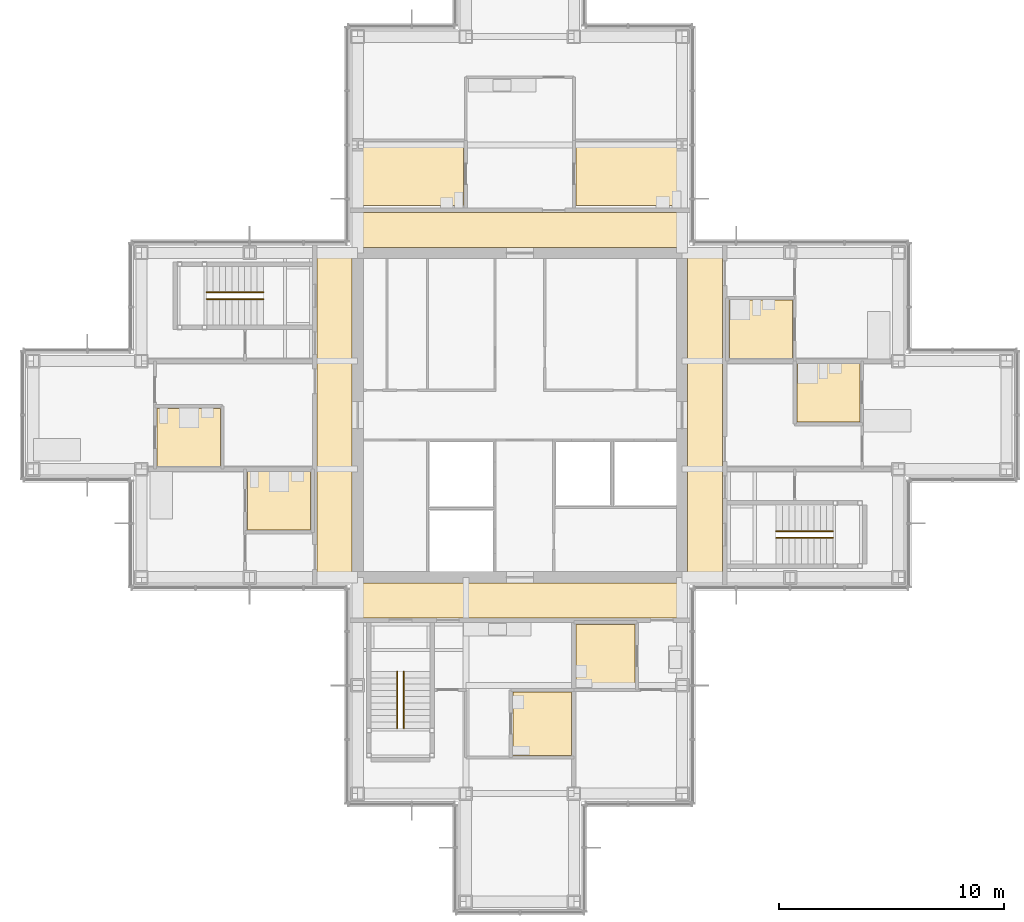
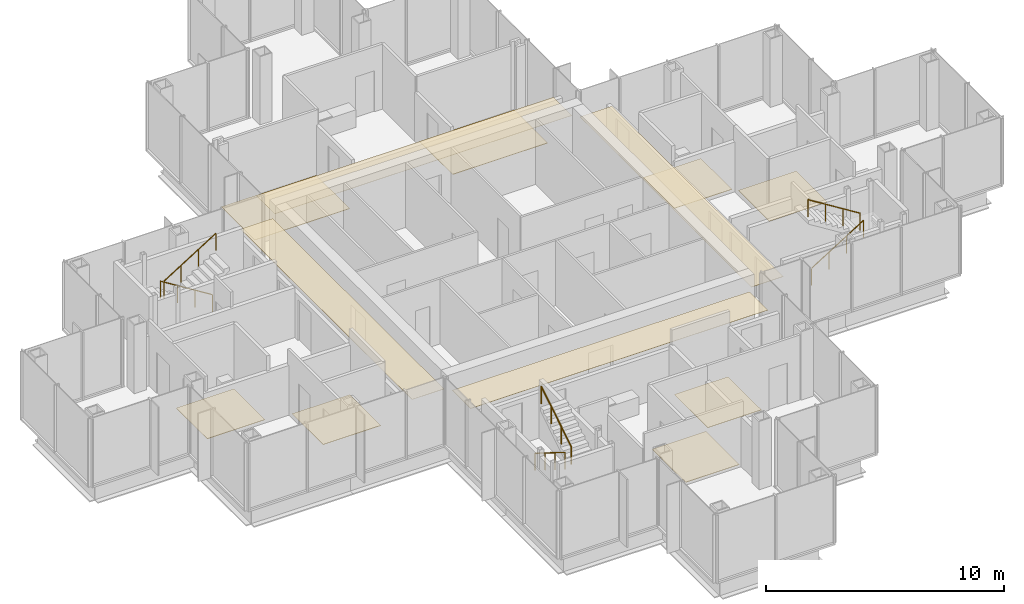
# One storey, part 15 of 17: 12 coverings, 6 railings.
"""IFC4 building model written with IfcOpenShell, lengths in metres."""

from ifc_helpers import new_model, si_unit, direction, frame, origin, origin_2d, place, context, subcontext, project, spatial, polyline, circle, outline, extrude, material, layer, layer_set, type_object, element, save


model = new_model("IFC4")

# Units and contexts
model_context = context("Model", 3, precision=1e-05, world=origin(), true_north=direction((0.0, 1.0)))
body_context = subcontext(model_context, "Body", "Model", "MODEL_VIEW")
ifc_project = project(units=[si_unit("LENGTHUNIT", "METRE"), si_unit("AREAUNIT", "SQUARE_METRE"), si_unit("VOLUMEUNIT", "CUBIC_METRE"), si_unit("PLANEANGLEUNIT", "RADIAN"), si_unit("MASSUNIT", "GRAM", prefix="KILO")], contexts=[model_context])

# Site, building, storey
site_placement = place(None, origin())
site = spatial("IfcSite", under=ifc_project, at=site_placement, CompositionType="ELEMENT")
building_placement = place(site_placement, origin())
building = spatial("IfcBuilding", under=site, at=building_placement, Name="Kvirike Care Tower", CompositionType="ELEMENT")
storey_placement = place(building_placement, frame((0.0, 0.0, 162.0)))
storey = spatial("IfcBuildingStorey", under=building, at=storey_placement, Name="L44", CompositionType="ELEMENT", Elevation=162.0)

# Coverings
ifc_material_1 = material(Name="Perforated metal ceiling tile", Category="aluminium")
ifc_layer_1 = layer(ifc_material_1, 0.014892578125)
ifc_layer_set_1 = layer_set([ifc_layer_1], Name="CORRIDOR CEILING 15")
covering_type_1 = type_object("IfcCoveringType", Name="CORRIDOR CEILING 15", PredefinedType="CEILING", material=ifc_layer_set_1)
covering_1_placement = place(storey_placement, frame((0.0, 0.0, 2.5)))
element("IfcCovering", 1, at=covering_1_placement, inside=storey, type_object=covering_type_1, Name="Corridor ceiling L44", PredefinedType="CEILING", context=body_context, shape_type="SweptSolid", body=[
    extrude(outline(polyline([(12.60009765625, 43.199951171875), (14.14990234375, 43.199951171875), (14.14990234375, 28.800048828125), (12.60009765625, 28.800048828125), (12.60009765625, 43.199951171875)])), origin(), (0.0, 0.0, 1.0), 0.014892578125),
])
covering_2_placement = place(storey_placement, frame((0.0, 0.0, 2.5)))
element("IfcCovering", 2, at=covering_2_placement, inside=storey, type_object=covering_type_1, Name="Corridor ceiling L44", PredefinedType="CEILING", context=body_context, shape_type="SweptSolid", body=[
    extrude(outline(polyline([(14.39990234375, 27.0), (14.39990234375, 28.550048828125), (28.800048828125, 28.550048828125), (28.800048828125, 27.0), (14.39990234375, 27.0)])), origin(), (0.0, 0.0, 1.0), 0.014892578125),
])
covering_3_placement = place(storey_placement, frame((0.0, 0.0, 2.5)))
element("IfcCovering", 3, at=covering_3_placement, inside=storey, type_object=covering_type_1, Name="Corridor ceiling L44", PredefinedType="CEILING", context=body_context, shape_type="SweptSolid", body=[
    extrude(outline(polyline([(28.800048828125, 45.0), (28.800048828125, 43.449951171875), (14.39990234375, 43.449951171875), (14.39990234375, 45.0), (28.800048828125, 45.0)])), origin(), (0.0, 0.0, 1.0), 0.014892578125),
])
covering_4_placement = place(storey_placement, frame((0.0, 0.0, 2.5)))
element("IfcCovering", 4, at=covering_4_placement, inside=storey, type_object=covering_type_1, Name="Corridor ceiling L44", PredefinedType="CEILING", context=body_context, shape_type="SweptSolid", body=[
    extrude(outline(polyline([(30.60009765625, 28.800048828125), (29.050048828125, 28.800048828125), (29.050048828125, 43.199951171875), (30.60009765625, 43.199951171875), (30.60009765625, 28.800048828125)])), origin(), (0.0, 0.0, 1.0), 0.014892578125),
])

# Railings
ifc_material_2 = material(Name="Stainless steel handrail", Category="steel")
railing_type = type_object("IfcRailingType", Name="STAIR HANDRAIL 900", PredefinedType="HANDRAIL", material=ifc_material_2)
railing_1_placement = place(storey_placement, frame((10.219970703125, 41.449951171875, 0.175048828125)))
element("IfcRailing", 5, at=railing_1_placement, inside=storey, type_object=railing_type, Name="Stair 1 handrail L44 flight 1", PredefinedType="HANDRAIL", context=body_context, shape_type="SweptSolid", body=[
    extrude(circle(Radius=0.02490234375, at=origin_2d()), frame((0.0, 0.0, 0.875), z_axis=(-0.848007534815, 0.0, 0.529984170421), x_axis=(0.0, -1.0, 0.0)), (0.0, 0.0, 1.0), 2.9716796875),
    extrude(circle(Radius=0.02001953125, at=origin_2d()), origin(), (0.0, 0.0, 1.0), 0.849853515625),
    extrude(circle(Radius=0.02001953125, at=origin_2d()), frame((-0.840087890625, 0.0, 0.52490234375)), (0.0, 0.0, 1.0), 0.849853515625),
    extrude(circle(Radius=0.02001953125, at=origin_2d()), frame((-1.679931640625, 0.0, 1.050048828125)), (0.0, 0.0, 1.0), 0.849853515625),
    extrude(circle(Radius=0.02001953125, at=origin_2d()), frame((-2.52001953125, 0.0, 1.574951171875)), (0.0, 0.0, 1.0), 0.849853515625),
])
for number, where, name in (
    (6, (7.699951171875, 41.14990234375, 1.925048828125), "Stair 1 handrail L44 flight 2"),
    (7, (32.97998046875, 30.550048828125, 0.175048828125), "Stair 2 handrail L44 flight 1"),
):
    element("IfcRailing", number, at=place(storey_placement, frame(where)), inside=storey, type_object=railing_type, Name=name, PredefinedType="HANDRAIL", context=body_context, shape_type="SweptSolid", body=[
        extrude(circle(Radius=0.02490234375, at=origin_2d()), frame((0.0, 0.0, 0.875), z_axis=(0.848007534815, 0.0, 0.529984170421), x_axis=(0.0, 1.0, 0.0)), (0.0, 0.0, 1.0), 2.9716796875),
        extrude(circle(Radius=0.02001953125, at=origin_2d()), origin(), (0.0, 0.0, 1.0), 0.849853515625),
        extrude(circle(Radius=0.02001953125, at=origin_2d()), frame((0.840087890625, 0.0, 0.52490234375)), (0.0, 0.0, 1.0), 0.849853515625),
        extrude(circle(Radius=0.02001953125, at=origin_2d()), frame((1.679931640625, 0.0, 1.050048828125)), (0.0, 0.0, 1.0), 0.849853515625),
        extrude(circle(Radius=0.02001953125, at=origin_2d()), frame((2.52001953125, 0.0, 1.574951171875)), (0.0, 0.0, 1.0), 0.849853515625),
    ])
railing_2_placement = place(storey_placement, frame((35.5, 30.85009765625, 1.925048828125)))
element("IfcRailing", 8, at=railing_2_placement, inside=storey, type_object=railing_type, Name="Stair 2 handrail L44 flight 2", PredefinedType="HANDRAIL", context=body_context, shape_type="SweptSolid", body=[
    extrude(circle(Radius=0.02490234375, at=origin_2d()), frame((0.0, 0.0, 0.875), z_axis=(-0.848007534815, 0.0, 0.529984170421), x_axis=(0.0, -1.0, 0.0)), (0.0, 0.0, 1.0), 2.9716796875),
    extrude(circle(Radius=0.02001953125, at=origin_2d()), origin(), (0.0, 0.0, 1.0), 0.849853515625),
    extrude(circle(Radius=0.02001953125, at=origin_2d()), frame((-0.840087890625, 0.0, 0.52490234375)), (0.0, 0.0, 1.0), 0.849853515625),
    extrude(circle(Radius=0.02001953125, at=origin_2d()), frame((-1.679931640625, 0.0, 1.050048828125)), (0.0, 0.0, 1.0), 0.849853515625),
    extrude(circle(Radius=0.02001953125, at=origin_2d()), frame((-2.52001953125, 0.0, 1.574951171875)), (0.0, 0.0, 1.0), 0.849853515625),
])
railing_3_placement = place(storey_placement, frame((16.14990234375, 24.6201171875, 0.175048828125)))
element("IfcRailing", 9, at=railing_3_placement, inside=storey, type_object=railing_type, Name="Stair 5 handrail L44 flight 1", PredefinedType="HANDRAIL", context=body_context, shape_type="SweptSolid", body=[
    extrude(circle(Radius=0.02490234375, at=origin_2d()), frame((0.0, 0.0, 0.875), z_axis=(0.0, -0.848007534815, 0.529984170421), x_axis=(1.0, 0.0, 0.0)), (0.0, 0.0, 1.0), 2.9716796875),
    extrude(circle(Radius=0.02001953125, at=origin_2d()), origin(), (0.0, 0.0, 1.0), 0.849853515625),
    extrude(circle(Radius=0.02001953125, at=origin_2d()), frame((0.0, -0.840087890625, 0.52490234375)), (0.0, 0.0, 1.0), 0.849853515625),
    extrude(circle(Radius=0.02001953125, at=origin_2d()), frame((0.0, -1.679931640625, 1.050048828125)), (0.0, 0.0, 1.0), 0.849853515625),
    extrude(circle(Radius=0.02001953125, at=origin_2d()), frame((0.0, -2.52001953125, 1.574951171875)), (0.0, 0.0, 1.0), 0.849853515625),
])
railing_4_placement = place(storey_placement, frame((16.449951171875, 22.10009765625, 1.925048828125)))
element("IfcRailing", 10, at=railing_4_placement, inside=storey, type_object=railing_type, Name="Stair 5 handrail L44 flight 2", PredefinedType="HANDRAIL", context=body_context, shape_type="SweptSolid", body=[
    extrude(circle(Radius=0.02490234375, at=origin_2d()), frame((0.0, 0.0, 0.875), z_axis=(0.0, 0.848007534815, 0.529984170421), x_axis=(-1.0, 0.0, 0.0)), (0.0, 0.0, 1.0), 2.9716796875),
    extrude(circle(Radius=0.02001953125, at=origin_2d()), origin(), (0.0, 0.0, 1.0), 0.849853515625),
    extrude(circle(Radius=0.02001953125, at=origin_2d()), frame((0.0, 0.840087890625, 0.52490234375)), (0.0, 0.0, 1.0), 0.849853515625),
    extrude(circle(Radius=0.02001953125, at=origin_2d()), frame((0.0, 1.679931640625, 1.050048828125)), (0.0, 0.0, 1.0), 0.849853515625),
    extrude(circle(Radius=0.02001953125, at=origin_2d()), frame((0.0, 2.52001953125, 1.574951171875)), (0.0, 0.0, 1.0), 0.849853515625),
])

# Coverings
ifc_material_3 = material(Name="Slip-resistant vinyl safety flooring on screed")
ifc_layer_2 = layer(ifc_material_3, 0.02001953125)
ifc_layer_set_2 = layer_set([ifc_layer_2], Name="WET ROOM FLOOR 20")
covering_type_2 = type_object("IfcCoveringType", Name="WET ROOM FLOOR 20", PredefinedType="FLOORING", material=ifc_layer_set_2)
covering_5_placement = place(storey_placement, origin())
element("IfcCovering", 11, at=covering_5_placement, inside=storey, type_object=covering_type_2, Name="En-suite floor L44-006", PredefinedType="FLOORING", context=body_context, shape_type="SweptSolid", body=[
    extrude(outline(polyline([(5.5, 36.300048828125), (8.300048828125, 36.300048828125), (8.300048828125, 33.699951171875), (5.5, 33.699951171875), (5.5, 36.300048828125)])), origin(), (0.0, 0.0, 1.0), 0.02001953125),
])
covering_6_placement = place(storey_placement, origin())
element("IfcCovering", 12, at=covering_6_placement, inside=storey, type_object=covering_type_2, Name="En-suite floor L44-009", PredefinedType="FLOORING", context=body_context, shape_type="SweptSolid", body=[
    extrude(outline(polyline([(9.5, 33.5), (12.300048828125, 33.5), (12.300048828125, 30.89990234375), (9.5, 30.89990234375), (9.5, 33.5)])), origin(), (0.0, 0.0, 1.0), 0.02001953125),
])
covering_7_placement = place(storey_placement, origin())
element("IfcCovering", 13, at=covering_7_placement, inside=storey, type_object=covering_type_2, Name="Accessible WC floor L44-014", PredefinedType="FLOORING", context=body_context, shape_type="SweptSolid", body=[
    extrude(outline(polyline([(21.300048828125, 20.89990234375), (21.300048828125, 23.699951171875), (23.89990234375, 23.699951171875), (23.89990234375, 20.89990234375), (21.300048828125, 20.89990234375)])), origin(), (0.0, 0.0, 1.0), 0.02001953125),
])
covering_8_placement = place(storey_placement, origin())
element("IfcCovering", 14, at=covering_8_placement, inside=storey, type_object=covering_type_2, Name="Staff WC floor L44-017", PredefinedType="FLOORING", context=body_context, shape_type="SweptSolid", body=[
    extrude(outline(polyline([(24.10009765625, 23.89990234375), (24.10009765625, 26.699951171875), (26.699951171875, 26.699951171875), (26.699951171875, 23.89990234375), (24.10009765625, 23.89990234375)])), origin(), (0.0, 0.0, 1.0), 0.02001953125),
])
covering_9_placement = place(storey_placement, origin())
element("IfcCovering", 15, at=covering_9_placement, inside=storey, type_object=covering_type_2, Name="Accessible WC floor L44-021", PredefinedType="FLOORING", context=body_context, shape_type="SweptSolid", body=[
    extrude(outline(polyline([(28.699951171875, 48.10009765625), (28.699951171875, 45.300048828125), (24.10009765625, 45.300048828125), (24.10009765625, 48.10009765625), (28.699951171875, 48.10009765625)])), origin(), (0.0, 0.0, 1.0), 0.02001953125),
])
covering_10_placement = place(storey_placement, origin())
element("IfcCovering", 16, at=covering_10_placement, inside=storey, type_object=covering_type_2, Name="Staff WC floor L44-022", PredefinedType="FLOORING", context=body_context, shape_type="SweptSolid", body=[
    extrude(outline(polyline([(19.10009765625, 48.10009765625), (19.10009765625, 45.300048828125), (14.5, 45.300048828125), (14.5, 48.10009765625), (19.10009765625, 48.10009765625)])), origin(), (0.0, 0.0, 1.0), 0.02001953125),
])
covering_11_placement = place(storey_placement, origin())
element("IfcCovering", 17, at=covering_11_placement, inside=storey, type_object=covering_type_2, Name="En-suite floor L44-029", PredefinedType="FLOORING", context=body_context, shape_type="SweptSolid", body=[
    extrude(outline(polyline([(36.699951171875, 35.699951171875), (33.89990234375, 35.699951171875), (33.89990234375, 38.300048828125), (36.699951171875, 38.300048828125), (36.699951171875, 35.699951171875)])), origin(), (0.0, 0.0, 1.0), 0.02001953125),
])
covering_12_placement = place(storey_placement, origin())
element("IfcCovering", 18, at=covering_12_placement, inside=storey, type_object=covering_type_2, Name="En-suite floor L44-032", PredefinedType="FLOORING", context=body_context, shape_type="SweptSolid", body=[
    extrude(outline(polyline([(33.699951171875, 38.5), (30.89990234375, 38.5), (30.89990234375, 41.10009765625), (33.699951171875, 41.10009765625), (33.699951171875, 38.5)])), origin(), (0.0, 0.0, 1.0), 0.02001953125),
])

save(model, "model.ifc")
